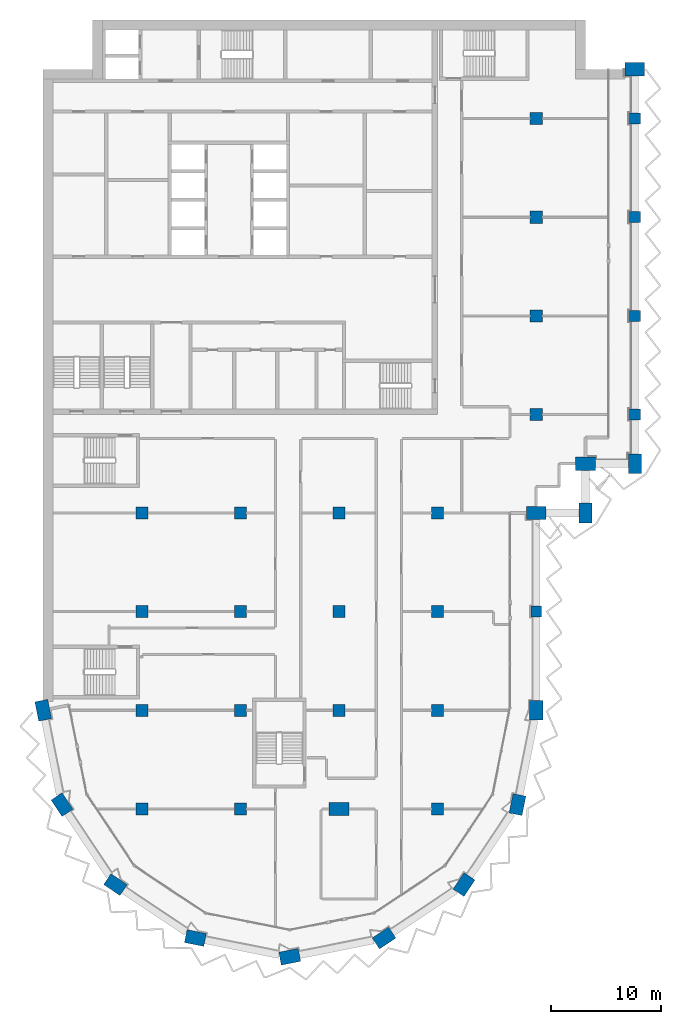
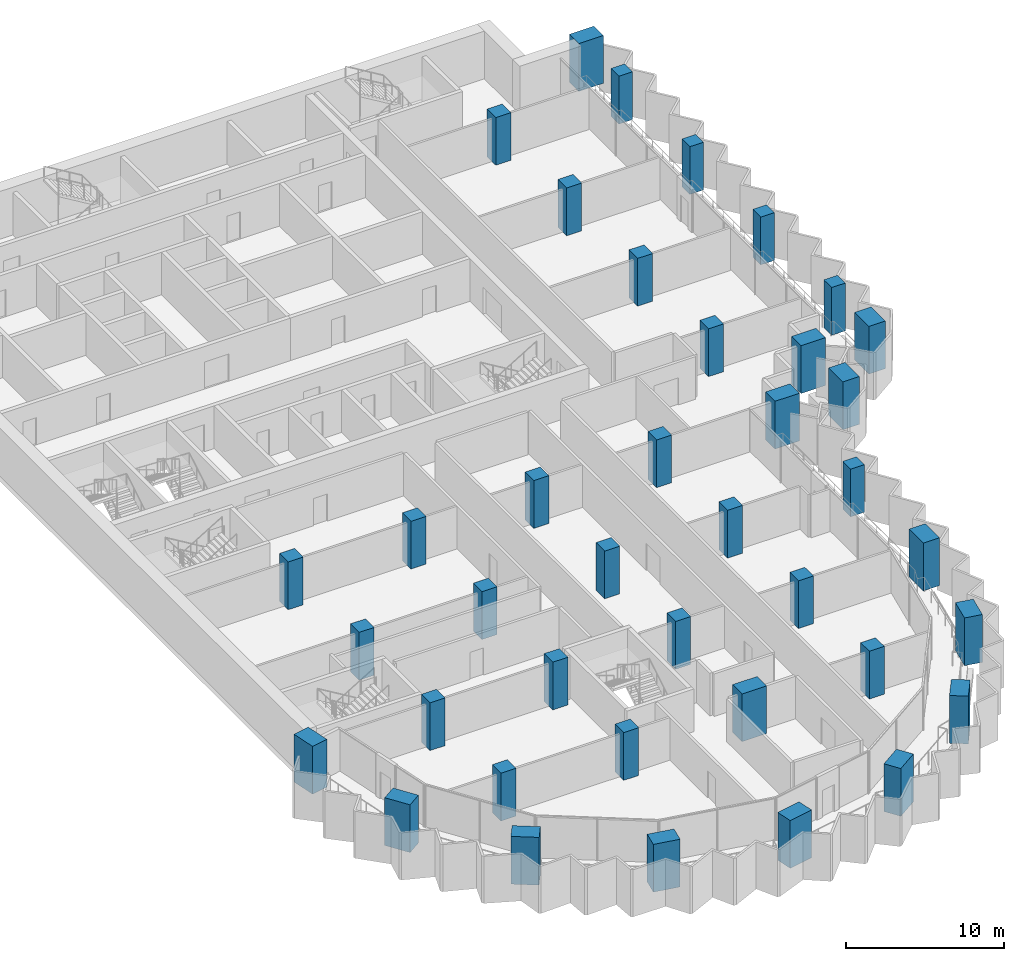
# One storey, part 1 of 17: 39 columns.
"""IFC4 building model written with IfcOpenShell, lengths in metres."""

from ifc_helpers import new_model, si_unit, direction, frame, origin, origin_2d, place, context, subcontext, project, spatial, rectangle, extrude, material, material_profile, profile_set, type_object, element, save


model = new_model("IFC4")

# Units and contexts
model_context = context("Model", 3, precision=1e-05, world=origin(), true_north=direction((0.0, 1.0)))
body_context = subcontext(model_context, "Body", "Model", "MODEL_VIEW")
ifc_project = project(units=[si_unit("LENGTHUNIT", "METRE"), si_unit("AREAUNIT", "SQUARE_METRE"), si_unit("VOLUMEUNIT", "CUBIC_METRE"), si_unit("PLANEANGLEUNIT", "RADIAN"), si_unit("MASSUNIT", "GRAM", prefix="KILO")], contexts=[model_context])

# Site, building, storey
site_placement = place(None, origin())
site = spatial("IfcSite", under=ifc_project, at=site_placement, CompositionType="ELEMENT")
building_placement = place(site_placement, origin())
building = spatial("IfcBuilding", under=site, at=building_placement, Name="Hunhe Ridgeline Campus", CompositionType="ELEMENT")
storey_placement = place(building_placement, frame((0.0, 0.0, 212.39990234375)))
storey = spatial("IfcBuildingStorey", under=building, at=storey_placement, Name="L54", CompositionType="ELEMENT", Elevation=212.39990234375)

# Columns
ifc_material = material(Name="Concrete C60", Category="concrete")
ifc_material_profile_1 = material_profile(ifc_material, rectangle(XDim=1.800048828125, YDim=1.199951171875, at=origin_2d()))
ifc_profile_set_1 = profile_set([ifc_material_profile_1], Name="Concrete C60")
column_type_1 = type_object("IfcColumnType", Name="Megacolumn 1800x1200 Concrete C60", PredefinedType="COLUMN", material=ifc_profile_set_1)
for number, where, z_axis, x_axis, name in (
    (1, (22.5, 13.5, 0.0), (0.0, 0.0, 1.0), (0.980785280403, 0.195090322016, 0.0), "Column C11 R6 L54"),
    (2, (13.8896484375, 15.212646484375, 0.0), (0.0, 0.0, 1.0), (-0.980785280403, 0.195090322016, 0.0), "Column C11 R7 L54"),
    (3, (31.1103515625, 15.212646484375, 0.0), (0.0, 0.0, 1.0), (0.831469612303, 0.55557023302, 0.0), "Column C11 R8 L54"),
    (4, (6.590087890625, 20.090087890625, 0.0), (0.0, 0.0, 1.0), (-0.831469612303, 0.55557023302, 0.0), "Column C11 R11 L54"),
    (5, (38.409912109375, 20.090087890625, 0.0), (0.0, 0.0, 1.0), (0.55557023302, 0.831469612303, 0.0), "Column C11 R12 L54"),
    (6, (1.712646484375, 27.3896484375, 0.0), (0.0, 0.0, 1.0), (-0.55557023302, 0.831469612303, 0.0), "Column C11 R16 L54"),
    (7, (43.287353515625, 27.3896484375, 0.0), (0.0, 0.0, 1.0), (0.195090322016, 0.980785280403, 0.0), "Column C11 R17 L54"),
    (8, (0.0, 36.0, 0.0), (0.0, 0.0, 1.0), (-0.195090322016, 0.980785280403, 0.0), "Column C11 E1 L54"),
    (9, (45.0, 36.0, 0.0), (0.0, 0.0, 1.0), (0.0, 1.0, 0.0), "Column C11 E6 L54"),
    (10, (45.0, 54.0, 0.0), (0.0, 0.0, 1.0), (1.0, 0.0, 0.0), "Column C11 G6 L54"),
    (11, (49.5, 54.0, 0.0), (0.0, 0.0, 1.0), (0.0, 1.0, 0.0), "Column C11 R29 L54"),
    (12, (49.5, 58.5, 0.0), (0.0, 0.0, 1.0), (1.0, 0.0, 0.0), "Column C11 R33 L54"),
    (13, (54.0, 58.5, 0.0), (0.0, 0.0, 1.0), (0.0, 1.0, 0.0), "Column C11 R34 L54"),
    (14, (54.0, 94.5, 0.0), (0.0, 0.0, 1.0), (1.0, 0.0, 0.0), "Column C11 R41 L54"),
    (15, (27.0, 27.0, 0.0), (0.0, 0.0, 1.0), (1.0, 0.0, 0.0), "Column C11 D4 L54"),
):
    element("IfcColumn", number, at=place(storey_placement, frame(where, z_axis=z_axis, x_axis=x_axis)), inside=storey, type_object=column_type_1, Name=name, PredefinedType="COLUMN", context=body_context, shape_type="SweptSolid", body=[
        extrude(rectangle(XDim=1.800048828125, YDim=1.199951171875, at=origin_2d()), origin(), (0.0, 0.0, 1.0), 3.7001953125),
    ])
ifc_material_profile_2 = material_profile(ifc_material, rectangle(XDim=1.0, YDim=1.0, at=origin_2d()))
ifc_profile_set_2 = profile_set([ifc_material_profile_2], Name="Concrete C60")
column_type_2 = type_object("IfcColumnType", Name="RC column 1000x1000 Concrete C60", PredefinedType="COLUMN", material=ifc_profile_set_2)
for number, where, z_axis, x_axis, name in (
    (16, (45.0, 45.0, 0.0), (0.0, 0.0, 1.0), (1.0, 0.0, 0.0), "Column C12 F6 L54"),
    (17, (54.0, 63.0, 0.0), (0.0, 0.0, 1.0), (1.0, 0.0, 0.0), "Column C12 H7 L54"),
    (18, (54.0, 72.0, 0.0), (0.0, 0.0, 1.0), (1.0, 0.0, 0.0), "Column C12 I7 L54"),
    (19, (54.0, 81.0, 0.0), (0.0, 0.0, 1.0), (1.0, 0.0, 0.0), "Column C12 J7 L54"),
    (20, (54.0, 90.0, 0.0), (0.0, 0.0, 1.0), (1.0, 0.0, 0.0), "Column C12 K7 L54"),
):
    element("IfcColumn", number, at=place(storey_placement, frame(where, z_axis=z_axis, x_axis=x_axis)), inside=storey, type_object=column_type_2, Name=name, PredefinedType="COLUMN", context=body_context, shape_type="SweptSolid", body=[
        extrude(rectangle(XDim=1.0, YDim=1.0, at=origin_2d()), origin(), (0.0, 0.0, 1.0), 3.7001953125),
    ])
ifc_material_profile_3 = material_profile(ifc_material, rectangle(XDim=1.10009765625, YDim=1.10009765625, at=origin_2d()))
ifc_profile_set_3 = profile_set([ifc_material_profile_3], Name="Concrete C60")
column_type_3 = type_object("IfcColumnType", Name="RC column 1100x1100 Concrete C60", PredefinedType="COLUMN", material=ifc_profile_set_3)
for number, where, z_axis, x_axis, name in (
    (21, (9.0, 27.0, 0.0), (0.0, 0.0, 1.0), (1.0, 0.0, 0.0), "Column C13 D2 L54"),
    (22, (9.0, 36.0, 0.0), (0.0, 0.0, 1.0), (1.0, 0.0, 0.0), "Column C13 E2 L54"),
    (23, (9.0, 45.0, 0.0), (0.0, 0.0, 1.0), (1.0, 0.0, 0.0), "Column C13 F2 L54"),
    (24, (9.0, 54.0, 0.0), (0.0, 0.0, 1.0), (1.0, 0.0, 0.0), "Column C13 G2 L54"),
    (25, (18.0, 27.0, 0.0), (0.0, 0.0, 1.0), (1.0, 0.0, 0.0), "Column C13 D3 L54"),
    (26, (18.0, 36.0, 0.0), (0.0, 0.0, 1.0), (1.0, 0.0, 0.0), "Column C13 E3 L54"),
    (27, (18.0, 45.0, 0.0), (0.0, 0.0, 1.0), (1.0, 0.0, 0.0), "Column C13 F3 L54"),
    (28, (18.0, 54.0, 0.0), (0.0, 0.0, 1.0), (1.0, 0.0, 0.0), "Column C13 G3 L54"),
    (29, (27.0, 36.0, 0.0), (0.0, 0.0, 1.0), (1.0, 0.0, 0.0), "Column C13 E4 L54"),
    (30, (27.0, 45.0, 0.0), (0.0, 0.0, 1.0), (1.0, 0.0, 0.0), "Column C13 F4 L54"),
    (31, (27.0, 54.0, 0.0), (0.0, 0.0, 1.0), (1.0, 0.0, 0.0), "Column C13 G4 L54"),
    (32, (36.0, 27.0, 0.0), (0.0, 0.0, 1.0), (1.0, 0.0, 0.0), "Column C13 D5 L54"),
    (33, (36.0, 36.0, 0.0), (0.0, 0.0, 1.0), (1.0, 0.0, 0.0), "Column C13 E5 L54"),
    (34, (36.0, 45.0, 0.0), (0.0, 0.0, 1.0), (1.0, 0.0, 0.0), "Column C13 F5 L54"),
    (35, (36.0, 54.0, 0.0), (0.0, 0.0, 1.0), (1.0, 0.0, 0.0), "Column C13 G5 L54"),
    (36, (45.0, 63.0, 0.0), (0.0, 0.0, 1.0), (1.0, 0.0, 0.0), "Column C13 H6 L54"),
    (37, (45.0, 72.0, 0.0), (0.0, 0.0, 1.0), (1.0, 0.0, 0.0), "Column C13 I6 L54"),
    (38, (45.0, 81.0, 0.0), (0.0, 0.0, 1.0), (1.0, 0.0, 0.0), "Column C13 J6 L54"),
    (39, (45.0, 90.0, 0.0), (0.0, 0.0, 1.0), (1.0, 0.0, 0.0), "Column C13 K6 L54"),
):
    element("IfcColumn", number, at=place(storey_placement, frame(where, z_axis=z_axis, x_axis=x_axis)), inside=storey, type_object=column_type_3, Name=name, PredefinedType="COLUMN", context=body_context, shape_type="SweptSolid", body=[
        extrude(rectangle(XDim=1.10009765625, YDim=1.10009765625, at=origin_2d()), origin(), (0.0, 0.0, 1.0), 3.7001953125),
    ])

save(model, "model.ifc")
